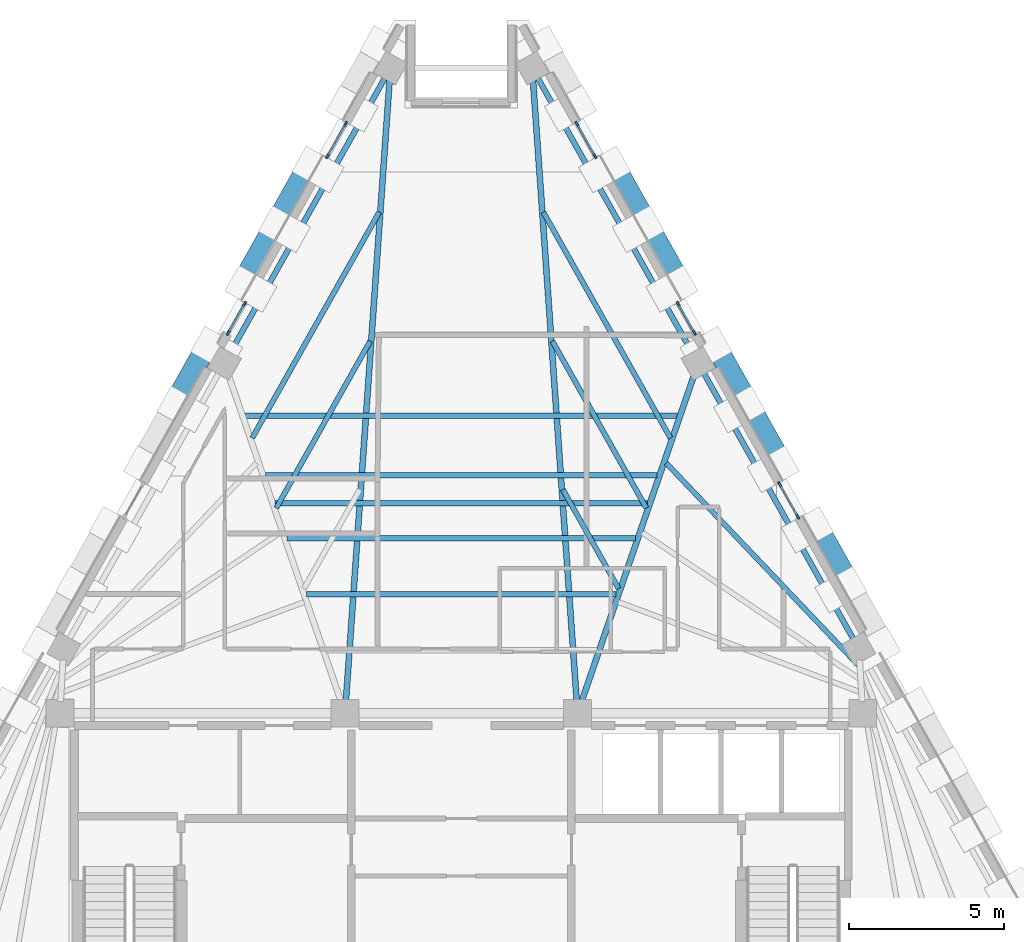
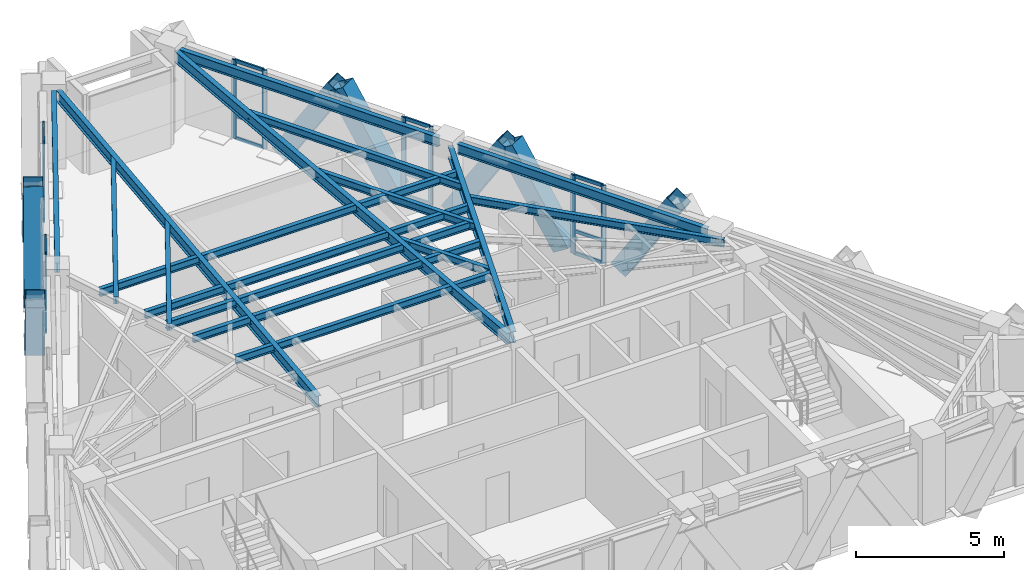
# One storey, part 3 of 9: 33 members, 17 beams, 5 elements without a shape of their own.
"""IFC4 building model written with IfcOpenShell, lengths in metres."""

from ifc_helpers import new_model, si_unit, direction, frame, origin, origin_2d, place, context, subcontext, project, spatial, rectangle, hollow_rectangle, i_section, extrude, material, material_profile, profile_set, type_object, element, aggregate, save


model = new_model("IFC4")

# Units and contexts
model_context = context("Model", 3, precision=1e-05, world=origin(), true_north=direction((0.0, 1.0)))
body_context = subcontext(model_context, "Body", "Model", "MODEL_VIEW")
ifc_project = project(units=[si_unit("LENGTHUNIT", "METRE"), si_unit("AREAUNIT", "SQUARE_METRE"), si_unit("VOLUMEUNIT", "CUBIC_METRE"), si_unit("PLANEANGLEUNIT", "RADIAN"), si_unit("MASSUNIT", "GRAM", prefix="KILO")], contexts=[model_context])

# Site, building, storey
site_placement = place(None, origin())
site = spatial("IfcSite", under=ifc_project, at=site_placement, CompositionType="ELEMENT")
building_placement = place(site_placement, origin())
building = spatial("IfcBuilding", under=site, at=building_placement, Name="Quenlor Broadcast Tower", CompositionType="ELEMENT")
storey_placement = place(building_placement, frame((0.0, 0.0, 246.39990234375)))
storey = spatial("IfcBuildingStorey", under=building, at=storey_placement, Name="L68", CompositionType="ELEMENT", Elevation=246.39990234375)

# Curtain wall, members
ifc_material_1 = material(Name="Architectural Terracotta and Low-E Glazing", Category="masonry")
curtain_wall_type = type_object("IfcCurtainWallType", Name="Unitised Terracotta Curtain Wall System Z5", PredefinedType="NOTDEFINED", material=ifc_material_1)
curtain_wall_1_placement = place(storey_placement, origin())
curtain_wall_1 = element("IfcCurtainWall", 1, at=curtain_wall_1_placement, inside=storey, type_object=curtain_wall_type, Name="L68 Curtain Wall CW5 (L68-NEA-G1)", PredefinedType="NOTDEFINED")
ifc_material_2 = material(Name="Aluminium 6063-T6", Category="aluminium")
ifc_material_profile_1 = material_profile(ifc_material_2, rectangle(XDim=0.06494140625, YDim=0.169921875, at=origin_2d()))
ifc_profile_set_1 = profile_set([ifc_material_profile_1], Name="Aluminium 6063-T6 MULL65x170")
member_type_1 = type_object("IfcMemberType", Name="CW5 Aluminium Mullion MULL_CW5", PredefinedType="MULLION", material=ifc_profile_set_1)
member_1_placement = place(storey_placement, frame((3.72802734375, 14.211669921875, 0.0), z_axis=(0.0, 0.0, 1.0), x_axis=(0.871558583916, 0.49029137745, 0.0)))
member_1 = element("IfcMember", 2, at=member_1_placement, type_object=member_type_1, Name="CW5 mullion 1", PredefinedType="MULLION", context=body_context, shape_type="SweptSolid", body=[
    extrude(rectangle(XDim=0.06494140625, YDim=0.169921875, at=origin_2d()), origin(), (0.0, 0.0, 1.0), 3.25),
])
member_2_placement = place(storey_placement, frame((4.31396484375, 13.169921875, 0.0), z_axis=(0.0, 0.0, 1.0), x_axis=(0.871558583916, 0.49029137745, 0.0)))
member_2 = element("IfcMember", 3, at=member_2_placement, type_object=member_type_1, Name="CW5 mullion 2", PredefinedType="MULLION", context=body_context, shape_type="SweptSolid", body=[
    extrude(rectangle(XDim=0.06494140625, YDim=0.169921875, at=origin_2d()), origin(), (0.0, 0.0, 1.0), 3.25),
])

curtain_wall_2_placement = place(storey_placement, origin())
curtain_wall_2 = element("IfcCurtainWall", 4, at=curtain_wall_2_placement, inside=storey, type_object=curtain_wall_type, Name="L68 Curtain Wall CW5 (L68-NEA-G2)", PredefinedType="NOTDEFINED")
member_3_placement = place(storey_placement, frame((6.99755859375, 8.39892578125, 0.0), z_axis=(0.0, 0.0, 1.0), x_axis=(0.871563693894, 0.490282293669, 0.0)))
member_3 = element("IfcMember", 5, at=member_3_placement, type_object=member_type_1, Name="CW5 mullion 1", PredefinedType="MULLION", context=body_context, shape_type="SweptSolid", body=[
    extrude(rectangle(XDim=0.06494140625, YDim=0.169921875, at=origin_2d()), origin(), (0.0, 0.0, 1.0), 3.25),
])
member_4_placement = place(storey_placement, frame((7.5185546875, 7.472900390625, 0.0), z_axis=(0.0, 0.0, 1.0), x_axis=(0.871563693894, 0.490282293669, 0.0)))
member_4 = element("IfcMember", 6, at=member_4_placement, type_object=member_type_1, Name="CW5 mullion 2", PredefinedType="MULLION", context=body_context, shape_type="SweptSolid", body=[
    extrude(rectangle(XDim=0.06494140625, YDim=0.169921875, at=origin_2d()), origin(), (0.0, 0.0, 1.0), 3.25),
])

curtain_wall_3_placement = place(storey_placement, origin())
curtain_wall_3 = element("IfcCurtainWall", 7, at=curtain_wall_3_placement, inside=storey, type_object=curtain_wall_type, Name="L68 Curtain Wall CW5 (L68-NE-G1)", PredefinedType="NOTDEFINED")
member_5_placement = place(storey_placement, frame((10.267333984375, 2.586181640625, 0.0), z_axis=(0.0, 0.0, 1.0), x_axis=(0.871592489955, 0.490231100048, 0.0)))
member_5 = element("IfcMember", 8, at=member_5_placement, type_object=member_type_1, Name="CW5 mullion 1", PredefinedType="MULLION", context=body_context, shape_type="SweptSolid", body=[
    extrude(rectangle(XDim=0.06494140625, YDim=0.169921875, at=origin_2d()), origin(), (0.0, 0.0, 1.0), 3.25),
])
member_6_placement = place(storey_placement, frame((10.853271484375, 1.54443359375, 0.0), z_axis=(0.0, 0.0, 1.0), x_axis=(0.871592489955, 0.490231100048, 0.0)))
member_6 = element("IfcMember", 9, at=member_6_placement, type_object=member_type_1, Name="CW5 mullion 2", PredefinedType="MULLION", context=body_context, shape_type="SweptSolid", body=[
    extrude(rectangle(XDim=0.06494140625, YDim=0.169921875, at=origin_2d()), origin(), (0.0, 0.0, 1.0), 3.25),
])

curtain_wall_4_placement = place(storey_placement, origin())
curtain_wall_4 = element("IfcCurtainWall", 10, at=curtain_wall_4_placement, inside=storey, type_object=curtain_wall_type, Name="L68 Curtain Wall CW5 (L68-NWC-G1)", PredefinedType="NOTDEFINED")
member_7_placement = place(storey_placement, frame((-7.5185546875, 7.472900390625, 0.0), z_axis=(0.0, 0.0, 1.0), x_axis=(-0.871563693894, 0.490282293669, 0.0)))
member_7 = element("IfcMember", 11, at=member_7_placement, type_object=member_type_1, Name="CW5 mullion 1", PredefinedType="MULLION", context=body_context, shape_type="SweptSolid", body=[
    extrude(rectangle(XDim=0.06494140625, YDim=0.169921875, at=origin_2d()), origin(), (0.0, 0.0, 1.0), 3.25),
])
member_8_placement = place(storey_placement, frame((-6.99755859375, 8.39892578125, 0.0), z_axis=(0.0, 0.0, 1.0), x_axis=(-0.871563693894, 0.490282293669, 0.0)))
member_8 = element("IfcMember", 12, at=member_8_placement, type_object=member_type_1, Name="CW5 mullion 2", PredefinedType="MULLION", context=body_context, shape_type="SweptSolid", body=[
    extrude(rectangle(XDim=0.06494140625, YDim=0.169921875, at=origin_2d()), origin(), (0.0, 0.0, 1.0), 3.25),
])

curtain_wall_5_placement = place(storey_placement, origin())
curtain_wall_5 = element("IfcCurtainWall", 13, at=curtain_wall_5_placement, inside=storey, type_object=curtain_wall_type, Name="L68 Curtain Wall CW5 (L68-NWC-G2)", PredefinedType="NOTDEFINED")
member_9_placement = place(storey_placement, frame((-4.31396484375, 13.169921875, 0.0), z_axis=(0.0, 0.0, 1.0), x_axis=(-0.871558583916, 0.49029137745, 0.0)))
member_9 = element("IfcMember", 14, at=member_9_placement, type_object=member_type_1, Name="CW5 mullion 1", PredefinedType="MULLION", context=body_context, shape_type="SweptSolid", body=[
    extrude(rectangle(XDim=0.06494140625, YDim=0.169921875, at=origin_2d()), origin(), (0.0, 0.0, 1.0), 3.25),
])
member_10_placement = place(storey_placement, frame((-3.72802734375, 14.211669921875, 0.0), z_axis=(0.0, 0.0, 1.0), x_axis=(-0.871558583916, 0.49029137745, 0.0)))
member_10 = element("IfcMember", 15, at=member_10_placement, type_object=member_type_1, Name="CW5 mullion 2", PredefinedType="MULLION", context=body_context, shape_type="SweptSolid", body=[
    extrude(rectangle(XDim=0.06494140625, YDim=0.169921875, at=origin_2d()), origin(), (0.0, 0.0, 1.0), 3.25),
])

# Member
ifc_material_3 = material(Name="Aluminium 6063-T6", Category="aluminium")
ifc_material_profile_2 = material_profile(ifc_material_3, rectangle(XDim=0.06494140625, YDim=0.139892578125, at=origin_2d()))
ifc_profile_set_2 = profile_set([ifc_material_profile_2], Name="Aluminium 6063-T6 TRAN65x140")
member_type_2 = type_object("IfcMemberType", Name="CW5 Aluminium Transom TRAN_CW5", PredefinedType="USERDEFINED", material=ifc_profile_set_2)
member_11_placement = place(storey_placement, frame((3.743896484375, 14.183349609375, 0.03271484375), z_axis=(0.490312513966, -0.871546693327, 0.0), x_axis=(0.871546693327, 0.490312513966, 0.0)))
member_11 = element("IfcMember", 16, at=member_11_placement, type_object=member_type_2, Name="CW5 transom 1.1", ObjectType="TRANSOM", PredefinedType="USERDEFINED", context=body_context, shape_type="SweptSolid", body=[
    extrude(rectangle(XDim=0.06494140625, YDim=0.139892578125, at=origin_2d()), origin(), (0.0, 0.0, 1.0), 1.13037109375),
])

member_12_placement = place(storey_placement, frame((3.743896484375, 14.183349609375, 0.9501953125), z_axis=(0.490312513966, -0.871546693327, 0.0), x_axis=(0.871546693327, 0.490312513966, 0.0)))
member_12 = element("IfcMember", 17, at=member_12_placement, type_object=member_type_2, Name="CW5 transom 1.2", ObjectType="TRANSOM", PredefinedType="USERDEFINED", context=body_context, shape_type="SweptSolid", body=[
    extrude(rectangle(XDim=0.06494140625, YDim=0.139892578125, at=origin_2d()), origin(), (0.0, 0.0, 1.0), 1.13037109375),
])

member_13_placement = place(storey_placement, frame((3.743896484375, 14.183349609375, 3.217529296875), z_axis=(0.490312513966, -0.871546693327, 0.0), x_axis=(0.871546693327, 0.490312513966, 0.0)))
member_13 = element("IfcMember", 18, at=member_13_placement, type_object=member_type_2, Name="CW5 transom 1.3", ObjectType="TRANSOM", PredefinedType="USERDEFINED", context=body_context, shape_type="SweptSolid", body=[
    extrude(rectangle(XDim=0.06494140625, YDim=0.139892578125, at=origin_2d()), origin(), (0.0, 0.0, 1.0), 1.13037109375),
])

aggregate(curtain_wall_1, [member_1, member_2, member_11, member_12, member_13])

member_14_placement = place(storey_placement, frame((7.013427734375, 8.37060546875, 0.03271484375), z_axis=(0.490249619047, -0.871582073602, 0.0), x_axis=(0.871582073602, 0.490249619047, 0.0)))
member_14 = element("IfcMember", 19, at=member_14_placement, type_object=member_type_2, Name="CW5 transom 1.1", ObjectType="TRANSOM", PredefinedType="USERDEFINED", context=body_context, shape_type="SweptSolid", body=[
    extrude(rectangle(XDim=0.06494140625, YDim=0.139892578125, at=origin_2d()), origin(), (0.0, 0.0, 1.0), 0.99755859375),
])

member_15_placement = place(storey_placement, frame((7.013427734375, 8.37060546875, 0.9501953125), z_axis=(0.490249619047, -0.871582073602, 0.0), x_axis=(0.871582073602, 0.490249619047, 0.0)))
member_15 = element("IfcMember", 20, at=member_15_placement, type_object=member_type_2, Name="CW5 transom 1.2", ObjectType="TRANSOM", PredefinedType="USERDEFINED", context=body_context, shape_type="SweptSolid", body=[
    extrude(rectangle(XDim=0.06494140625, YDim=0.139892578125, at=origin_2d()), origin(), (0.0, 0.0, 1.0), 0.99755859375),
])

member_16_placement = place(storey_placement, frame((7.013427734375, 8.37060546875, 3.217529296875), z_axis=(0.490249619047, -0.871582073602, 0.0), x_axis=(0.871582073602, 0.490249619047, 0.0)))
member_16 = element("IfcMember", 21, at=member_16_placement, type_object=member_type_2, Name="CW5 transom 1.3", ObjectType="TRANSOM", PredefinedType="USERDEFINED", context=body_context, shape_type="SweptSolid", body=[
    extrude(rectangle(XDim=0.06494140625, YDim=0.139892578125, at=origin_2d()), origin(), (0.0, 0.0, 1.0), 0.99755859375),
])

aggregate(curtain_wall_2, [member_3, member_4, member_14, member_15, member_16])

member_17_placement = place(storey_placement, frame((10.283203125, 2.557861328125, 0.03271484375), z_axis=(0.490312513966, -0.871546693327, 0.0), x_axis=(0.871546693327, 0.490312513966, 0.0)))
member_17 = element("IfcMember", 22, at=member_17_placement, type_object=member_type_2, Name="CW5 transom 1.1", ObjectType="TRANSOM", PredefinedType="USERDEFINED", context=body_context, shape_type="SweptSolid", body=[
    extrude(rectangle(XDim=0.06494140625, YDim=0.139892578125, at=origin_2d()), origin(), (0.0, 0.0, 1.0), 1.13037109375),
])

member_18_placement = place(storey_placement, frame((10.283203125, 2.557861328125, 0.9501953125), z_axis=(0.490312513966, -0.871546693327, 0.0), x_axis=(0.871546693327, 0.490312513966, 0.0)))
member_18 = element("IfcMember", 23, at=member_18_placement, type_object=member_type_2, Name="CW5 transom 1.2", ObjectType="TRANSOM", PredefinedType="USERDEFINED", context=body_context, shape_type="SweptSolid", body=[
    extrude(rectangle(XDim=0.06494140625, YDim=0.139892578125, at=origin_2d()), origin(), (0.0, 0.0, 1.0), 1.13037109375),
])

member_19_placement = place(storey_placement, frame((10.283203125, 2.557861328125, 3.217529296875), z_axis=(0.490312513966, -0.871546693327, 0.0), x_axis=(0.871546693327, 0.490312513966, 0.0)))
member_19 = element("IfcMember", 24, at=member_19_placement, type_object=member_type_2, Name="CW5 transom 1.3", ObjectType="TRANSOM", PredefinedType="USERDEFINED", context=body_context, shape_type="SweptSolid", body=[
    extrude(rectangle(XDim=0.06494140625, YDim=0.139892578125, at=origin_2d()), origin(), (0.0, 0.0, 1.0), 1.13037109375),
])

aggregate(curtain_wall_3, [member_5, member_6, member_17, member_18, member_19])

member_20_placement = place(storey_placement, frame((-7.50244140625, 7.501220703125, 0.03271484375), z_axis=(0.490249619047, 0.871582073602, 0.0), x_axis=(-0.871582073602, 0.490249619047, 0.0)))
member_20 = element("IfcMember", 25, at=member_20_placement, type_object=member_type_2, Name="CW5 transom 1.1", ObjectType="TRANSOM", PredefinedType="USERDEFINED", context=body_context, shape_type="SweptSolid", body=[
    extrude(rectangle(XDim=0.06494140625, YDim=0.139892578125, at=origin_2d()), origin(), (0.0, 0.0, 1.0), 0.99755859375),
])

member_21_placement = place(storey_placement, frame((-7.50244140625, 7.501220703125, 0.9501953125), z_axis=(0.490249619047, 0.871582073602, 0.0), x_axis=(-0.871582073602, 0.490249619047, 0.0)))
member_21 = element("IfcMember", 26, at=member_21_placement, type_object=member_type_2, Name="CW5 transom 1.2", ObjectType="TRANSOM", PredefinedType="USERDEFINED", context=body_context, shape_type="SweptSolid", body=[
    extrude(rectangle(XDim=0.06494140625, YDim=0.139892578125, at=origin_2d()), origin(), (0.0, 0.0, 1.0), 0.99755859375),
])

member_22_placement = place(storey_placement, frame((-7.50244140625, 7.501220703125, 3.217529296875), z_axis=(0.490249619047, 0.871582073602, 0.0), x_axis=(-0.871582073602, 0.490249619047, 0.0)))
member_22 = element("IfcMember", 27, at=member_22_placement, type_object=member_type_2, Name="CW5 transom 1.3", ObjectType="TRANSOM", PredefinedType="USERDEFINED", context=body_context, shape_type="SweptSolid", body=[
    extrude(rectangle(XDim=0.06494140625, YDim=0.139892578125, at=origin_2d()), origin(), (0.0, 0.0, 1.0), 0.99755859375),
])

aggregate(curtain_wall_4, [member_7, member_8, member_20, member_21, member_22])

member_23_placement = place(storey_placement, frame((-4.298095703125, 13.1982421875, 0.03271484375), z_axis=(0.490312513966, 0.871546693327, 0.0), x_axis=(-0.871546693327, 0.490312513966, 0.0)))
member_23 = element("IfcMember", 28, at=member_23_placement, type_object=member_type_2, Name="CW5 transom 1.1", ObjectType="TRANSOM", PredefinedType="USERDEFINED", context=body_context, shape_type="SweptSolid", body=[
    extrude(rectangle(XDim=0.06494140625, YDim=0.139892578125, at=origin_2d()), origin(), (0.0, 0.0, 1.0), 1.13037109375),
])

member_24_placement = place(storey_placement, frame((-4.298095703125, 13.1982421875, 0.9501953125), z_axis=(0.490312513966, 0.871546693327, 0.0), x_axis=(-0.871546693327, 0.490312513966, 0.0)))
member_24 = element("IfcMember", 29, at=member_24_placement, type_object=member_type_2, Name="CW5 transom 1.2", ObjectType="TRANSOM", PredefinedType="USERDEFINED", context=body_context, shape_type="SweptSolid", body=[
    extrude(rectangle(XDim=0.06494140625, YDim=0.139892578125, at=origin_2d()), origin(), (0.0, 0.0, 1.0), 1.13037109375),
])

member_25_placement = place(storey_placement, frame((-4.298095703125, 13.1982421875, 3.217529296875), z_axis=(0.490312513966, 0.871546693327, 0.0), x_axis=(-0.871546693327, 0.490312513966, 0.0)))
member_25 = element("IfcMember", 30, at=member_25_placement, type_object=member_type_2, Name="CW5 transom 1.3", ObjectType="TRANSOM", PredefinedType="USERDEFINED", context=body_context, shape_type="SweptSolid", body=[
    extrude(rectangle(XDim=0.06494140625, YDim=0.139892578125, at=origin_2d()), origin(), (0.0, 0.0, 1.0), 1.13037109375),
])

aggregate(curtain_wall_5, [member_9, member_10, member_23, member_24, member_25])

# Members
ifc_material_4 = material(Name="Steel S355", Category="steel")
ifc_material_profile_3 = material_profile(ifc_material_4, hollow_rectangle(XDim=0.679931640625, YDim=0.679931640625, WallThickness=0.02001953125, at=origin_2d()))
ifc_profile_set_3 = profile_set([ifc_material_profile_3], Name="Steel S355 RHS680x680x20")
member_type_3 = type_object("IfcMemberType", Name="Perimeter Diagonal Lattice Brace Z5-Crown Steel S355 RHS680x20", PredefinedType="BRACE", material=ifc_profile_set_3)
for number, where, z_axis, x_axis, name in (
    (31, (4.916748046875, 12.904052734375, -0.119873046875), (0.260563732169, -0.463283497491, 0.847038926161), (0.871602253711, 0.49021374045, 0.0), "L68 Perimeter Diamond Lattice NE-C1S"),
    (32, (8.186279296875, 7.09130859375, -0.119873046875), (0.260618804175, -0.463276364439, 0.847025884529), (0.8715547569, 0.490298180422, 0.0), "L68 Perimeter Diamond Lattice NE-C2S"),
    (33, (7.08349609375, 9.052001953125, -0.119873046875), (-0.260618804175, 0.463276364439, 0.847025884529), (-0.8715547569, -0.490298180422, 0.0), "L68 Perimeter Diamond Lattice NE-C2B"),
    (34, (11.4560546875, 1.2783203125, -0.119873046875), (0.260618804175, -0.463276364439, 0.847025884529), (0.8715547569, 0.490298180422, 0.0), "L68 Perimeter Diamond Lattice NE-C3S"),
    (35, (10.35302734375, 3.2392578125, -0.119873046875), (-0.260563732169, 0.463283497491, 0.847038926161), (-0.871602253711, -0.49021374045, 0.0), "L68 Perimeter Diamond Lattice NE-C3B"),
    (36, (-7.08349609375, 9.052001953125, -0.119873046875), (0.260618804175, 0.463276364439, 0.847025884529), (-0.8715547569, 0.490298180422, 0.0), "L68 Perimeter Diamond Lattice NW-C4S"),
    (37, (-8.186279296875, 7.09130859375, -0.119873046875), (-0.260618804175, -0.463276364439, 0.847025884529), (0.8715547569, -0.490298180422, 0.0), "L68 Perimeter Diamond Lattice NW-C4B"),
    (38, (-4.916748046875, 12.904052734375, -0.119873046875), (-0.260563732169, -0.463283497491, 0.847038926161), (0.871602253711, -0.49021374045, 0.0), "L68 Perimeter Diamond Lattice NW-C5B"),
):
    element("IfcMember", number, at=place(storey_placement, frame(where, z_axis=z_axis, x_axis=x_axis)), inside=storey, type_object=member_type_3, Name=name, PredefinedType="BRACE", context=body_context, shape_type="SweptSolid", body=[
        extrude(hollow_rectangle(XDim=0.679931640625, YDim=0.679931640625, WallThickness=0.02001953125, at=origin_2d()), origin(), (0.0, 0.0, 1.0), 4.132080078125),
    ])

# Beams
ifc_material_5 = material(Name="Steel S355", Category="steel")
ifc_material_profile_4 = material_profile(ifc_material_5, i_section(OverallWidth=0.177978515625, OverallDepth=0.406494140625, WebThickness=0.0078125, FlangeThickness=0.0126953125, FilletRadius=0.011474609375, at=origin_2d()))
ifc_profile_set_4 = profile_set([ifc_material_profile_4], Name="Steel S355 410UB59.7")
beam_type_1 = type_object("IfcBeamType", Name="Perimeter Spandrel Beam Z5 Steel S355 410UB59.7", PredefinedType="SPANDREL", material=ifc_profile_set_4)
beam_1_placement = place(storey_placement, frame((12.64892578125, -2.412841796875, 3.046875), z_axis=(-0.49024947634, 0.871582153872, 0.0), x_axis=(-0.871582153872, -0.49024947634, 0.0)))
element("IfcBeam", 39, at=beam_1_placement, inside=storey, type_object=beam_type_1, Name="L68 Spandrel Beam NE2-NE3", PredefinedType="SPANDREL", context=body_context, shape_type="SweptSolid", body=[
    extrude(i_section(OverallWidth=0.177978515625, OverallDepth=0.406494140625, WebThickness=0.0078125, FlangeThickness=0.0126953125, FilletRadius=0.011474609375, at=origin_2d()), origin(), (0.0, 0.0, 1.0), 9.853759765625),
])
for number, where, z_axis, x_axis, name in (
    (40, (7.465087890625, 6.802978515625, 3.046875), (-0.490264646634, 0.871573620677, 0.0), (-0.871573620677, -0.490264646634, 0.0), "L68 Spandrel Beam NE3-NE4"),
    (41, (-2.461181640625, 15.69873046875, 3.046875), (-0.490264646634, -0.871573620677, 0.0), (0.871573620677, -0.490264646634, 0.0), "L68 Spandrel Beam NW1-NW2"),
):
    element("IfcBeam", number, at=place(storey_placement, frame(where, z_axis=z_axis, x_axis=x_axis)), inside=storey, type_object=beam_type_1, Name=name, PredefinedType="SPANDREL", context=body_context, shape_type="SweptSolid", body=[
        extrude(i_section(OverallWidth=0.177978515625, OverallDepth=0.406494140625, WebThickness=0.0078125, FlangeThickness=0.0126953125, FilletRadius=0.011474609375, at=origin_2d()), origin(), (0.0, 0.0, 1.0), 10.20654296875),
    ])
ifc_material_6 = material(Name="Steel S355", Category="steel")
ifc_material_profile_5 = material_profile(ifc_material_6, i_section(OverallWidth=0.166015625, OverallDepth=0.30712890625, WebThickness=0.006591796875, FlangeThickness=0.01171875, FilletRadius=0.011474609375, at=origin_2d()))
ifc_profile_set_5 = profile_set([ifc_material_profile_5], Name="Steel S355 310UB46.2")
beam_type_2 = type_object("IfcBeamType", Name="Tower Composite Joist Z4-Z5 Steel S355 310UB46.2", PredefinedType="JOIST", material=ifc_profile_set_5)
beam_2_placement = place(storey_placement, frame((-6.0048828125, 1.9736328125, 3.096435546875), z_axis=(1.0, 0.0, 0.0), x_axis=(0.0, 1.0, 0.0)))
element("IfcBeam", 42, at=beam_2_placement, inside=storey, type_object=beam_type_2, Name="L68 Secondary Composite Joist 2", PredefinedType="JOIST", context=body_context, shape_type="SweptSolid", body=[
    extrude(i_section(OverallWidth=0.166015625, OverallDepth=0.30712890625, WebThickness=0.006591796875, FlangeThickness=0.01171875, FilletRadius=0.011474609375, at=origin_2d()), origin(), (0.0, 0.0, 1.0), 12.009765625),
])
beam_3_placement = place(storey_placement, frame((-4.9931640625, -0.961669921875, 3.096435546875), z_axis=(1.0, 0.0, 0.0), x_axis=(0.0, 1.0, 0.0)))
element("IfcBeam", 43, at=beam_3_placement, inside=storey, type_object=beam_type_2, Name="L68 Secondary Composite Joist 3", PredefinedType="JOIST", context=body_context, shape_type="SweptSolid", body=[
    extrude(i_section(OverallWidth=0.166015625, OverallDepth=0.30712890625, WebThickness=0.006591796875, FlangeThickness=0.01171875, FilletRadius=0.011474609375, at=origin_2d()), origin(), (0.0, 0.0, 1.0), 9.986328125),
])
beam_4_placement = place(storey_placement, frame((-5.61572265625, 0.8447265625, 3.096435546875), z_axis=(1.0, 0.0, 0.0), x_axis=(0.0, 1.0, 0.0)))
element("IfcBeam", 44, at=beam_4_placement, inside=storey, type_object=beam_type_2, Name="L68 Secondary Composite Joist 4", PredefinedType="JOIST", context=body_context, shape_type="SweptSolid", body=[
    extrude(i_section(OverallWidth=0.166015625, OverallDepth=0.30712890625, WebThickness=0.006591796875, FlangeThickness=0.01171875, FilletRadius=0.011474609375, at=origin_2d()), origin(), (0.0, 0.0, 1.0), 11.2314453125),
])
beam_5_placement = place(storey_placement, frame((-6.316162109375, 2.876708984375, 3.096435546875), z_axis=(1.0, 0.0, 0.0), x_axis=(0.0, 1.0, 0.0)))
element("IfcBeam", 45, at=beam_5_placement, inside=storey, type_object=beam_type_2, Name="L68 Secondary Composite Joist 5", PredefinedType="JOIST", context=body_context, shape_type="SweptSolid", body=[
    extrude(i_section(OverallWidth=0.166015625, OverallDepth=0.30712890625, WebThickness=0.006591796875, FlangeThickness=0.01171875, FilletRadius=0.011474609375, at=origin_2d()), origin(), (0.0, 0.0, 1.0), 12.63232421875),
])
beam_6_placement = place(storey_placement, frame((-6.977783203125, 4.7958984375, 3.096435546875), z_axis=(1.0, 0.0, 0.0), x_axis=(0.0, 1.0, 0.0)))
element("IfcBeam", 46, at=beam_6_placement, inside=storey, type_object=beam_type_2, Name="L68 Secondary Composite Joist 6", PredefinedType="JOIST", context=body_context, shape_type="SweptSolid", body=[
    extrude(i_section(OverallWidth=0.166015625, OverallDepth=0.30712890625, WebThickness=0.006591796875, FlangeThickness=0.01171875, FilletRadius=0.011474609375, at=origin_2d()), origin(), (0.0, 0.0, 1.0), 13.95556640625),
])
beam_7_placement = place(storey_placement, frame((12.80517578125, -3.249267578125, 3.096435546875), z_axis=(-0.689023306429, 0.724739182877, 0.0), x_axis=(-0.724739182877, -0.689023306429, 0.0)))
element("IfcBeam", 47, at=beam_7_placement, inside=storey, type_object=beam_type_2, Name="L68 Secondary Composite Joist 12", PredefinedType="JOIST", context=body_context, shape_type="SweptSolid", body=[
    extrude(i_section(OverallWidth=0.166015625, OverallDepth=0.30712890625, WebThickness=0.006591796875, FlangeThickness=0.01171875, FilletRadius=0.011474609375, at=origin_2d()), origin(), (0.0, 0.0, 1.0), 8.99560546875),
])
beam_8_placement = place(storey_placement, frame((-2.939208984375, 7.201416015625, 3.096435546875), z_axis=(-0.490266868828, -0.871572370678, 0.0), x_axis=(0.871572370678, -0.490266868828, 0.0)))
element("IfcBeam", 48, at=beam_8_placement, inside=storey, type_object=beam_type_2, Name="L68 Secondary Composite Joist 26", PredefinedType="JOIST", context=body_context, shape_type="SweptSolid", body=[
    extrude(i_section(OverallWidth=0.166015625, OverallDepth=0.30712890625, WebThickness=0.006591796875, FlangeThickness=0.01171875, FilletRadius=0.011474609375, at=origin_2d()), origin(), (0.0, 0.0, 1.0), 6.177490234375),
])
beam_9_placement = place(storey_placement, frame((-2.646240234375, 11.364013671875, 3.096435546875), z_axis=(-0.490264011812, -0.871573977768, 0.0), x_axis=(0.871573977768, -0.490264011812, 0.0)))
element("IfcBeam", 49, at=beam_9_placement, inside=storey, type_object=beam_type_2, Name="L68 Secondary Composite Joist 27", PredefinedType="JOIST", context=body_context, shape_type="SweptSolid", body=[
    extrude(i_section(OverallWidth=0.166015625, OverallDepth=0.30712890625, WebThickness=0.006591796875, FlangeThickness=0.01171875, FilletRadius=0.011474609375, at=origin_2d()), origin(), (0.0, 0.0, 1.0), 8.362548828125),
])
beam_10_placement = place(storey_placement, frame((3.2763671875, 2.41455078125, 3.096435546875), z_axis=(0.490258076222, -0.871577316535, 0.0), x_axis=(0.871577316535, 0.490258076222, 0.0)))
element("IfcBeam", 50, at=beam_10_placement, inside=storey, type_object=beam_type_2, Name="L68 Secondary Composite Joist 28", PredefinedType="JOIST", context=body_context, shape_type="SweptSolid", body=[
    extrude(i_section(OverallWidth=0.166015625, OverallDepth=0.30712890625, WebThickness=0.006591796875, FlangeThickness=0.01171875, FilletRadius=0.011474609375, at=origin_2d()), origin(), (0.0, 0.0, 1.0), 3.6640625),
])
beam_11_placement = place(storey_placement, frame((2.939208984375, 7.201416015625, 3.096435546875), z_axis=(0.490266868828, -0.871572370678, 0.0), x_axis=(0.871572370678, 0.490266868828, 0.0)))
element("IfcBeam", 51, at=beam_11_placement, inside=storey, type_object=beam_type_2, Name="L68 Secondary Composite Joist 29", PredefinedType="JOIST", context=body_context, shape_type="SweptSolid", body=[
    extrude(i_section(OverallWidth=0.166015625, OverallDepth=0.30712890625, WebThickness=0.006591796875, FlangeThickness=0.01171875, FilletRadius=0.011474609375, at=origin_2d()), origin(), (0.0, 0.0, 1.0), 6.177490234375),
])
beam_12_placement = place(storey_placement, frame((2.646240234375, 11.364013671875, 3.096435546875), z_axis=(0.490264011812, -0.871573977768, 0.0), x_axis=(0.871573977768, 0.490264011812, 0.0)))
element("IfcBeam", 52, at=beam_12_placement, inside=storey, type_object=beam_type_2, Name="L68 Secondary Composite Joist 30", PredefinedType="JOIST", context=body_context, shape_type="SweptSolid", body=[
    extrude(i_section(OverallWidth=0.166015625, OverallDepth=0.30712890625, WebThickness=0.006591796875, FlangeThickness=0.01171875, FilletRadius=0.011474609375, at=origin_2d()), origin(), (0.0, 0.0, 1.0), 8.362548828125),
])
ifc_material_7 = material(Name="Steel S355", Category="steel")
ifc_material_profile_6 = material_profile(ifc_material_7, i_section(OverallWidth=0.19091796875, OverallDepth=0.46044921875, WebThickness=0.010009765625, FlangeThickness=0.01611328125, FilletRadius=0.011474609375, at=origin_2d()))
ifc_profile_set_6 = profile_set([ifc_material_profile_6], Name="Steel S355 460UB82.1")
beam_type_3 = type_object("IfcBeamType", Name="Tower Primary Floor Beam Z5 Steel S355 460UB82.1", PredefinedType="BEAM", material=ifc_profile_set_6)
beam_13_placement = place(storey_placement, frame((7.524169921875, 6.14892578125, 3.02001953125), z_axis=(-0.325895297662, -0.945405867848, 0.0), x_axis=(0.945405867848, -0.325895297662, 0.0)))
element("IfcBeam", 53, at=beam_13_placement, inside=storey, type_object=beam_type_3, Name="L68 Primary Radial Beam NE3", PredefinedType="BEAM", context=body_context, shape_type="SweptSolid", body=[
    extrude(i_section(OverallWidth=0.19091796875, OverallDepth=0.46044921875, WebThickness=0.010009765625, FlangeThickness=0.01611328125, FilletRadius=0.011474609375, at=origin_2d()), origin(), (0.0, 0.0, 1.0), 11.201171875),
])
for number, where, z_axis, x_axis, name in (
    (54, (2.31005859375, 15.6533203125, 3.02001953125), (0.070231384782, -0.997530727643, 0.0), (0.997530727643, 0.070231384782, 0.0), "L68 Primary Radial Beam NE4"),
    (55, (-2.31005859375, 15.6533203125, 3.02001953125), (-0.070231384782, -0.997530727643, 0.0), (0.997530727643, -0.070231384782, 0.0), "L68 Primary Radial Beam NW1"),
):
    element("IfcBeam", number, at=place(storey_placement, frame(where, z_axis=z_axis, x_axis=x_axis)), inside=storey, type_object=beam_type_3, Name=name, PredefinedType="BEAM", context=body_context, shape_type="SweptSolid", body=[
        extrude(i_section(OverallWidth=0.19091796875, OverallDepth=0.46044921875, WebThickness=0.010009765625, FlangeThickness=0.01611328125, FilletRadius=0.011474609375, at=origin_2d()), origin(), (0.0, 0.0, 1.0), 20.1240234375),
    ])

save(model, "model.ifc")
